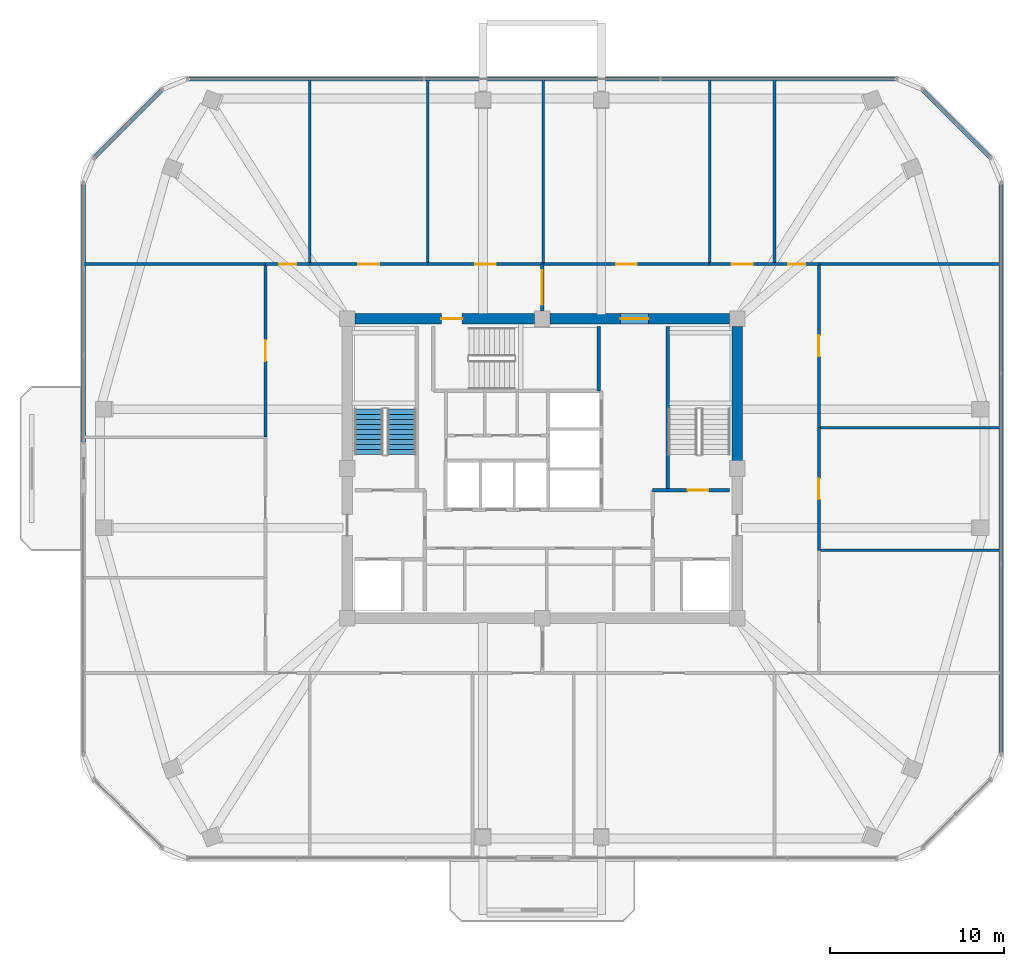
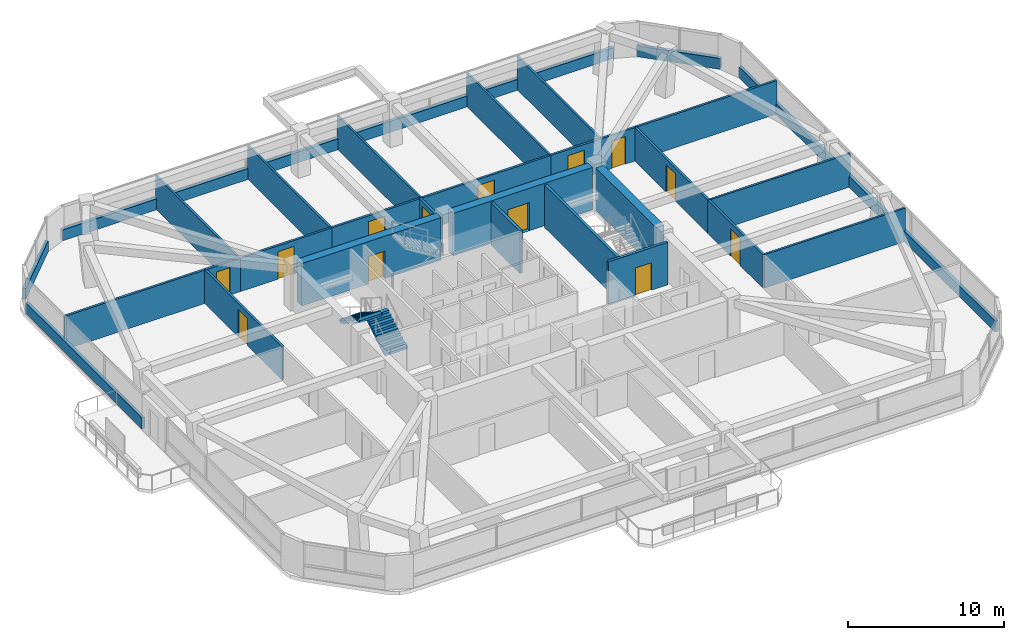
# One storey, part 10 of 13: 30 walls, 13 doors, 2 stair flights, 13 openings, 1 element without a shape of its own.
"""IFC4 building model written with IfcOpenShell, lengths in metres."""

from ifc_helpers import new_model, si_unit, derived_unit, direction, frame, frame_2d, origin, place, context, subcontext, project, spatial, polyline, rectangle, outline, extrude, material, layer, layer_set, type_object, element, fill, aggregate, save


model = new_model("IFC4")

# Units and contexts
model_context = context("Model", 3, precision=1e-05, world=origin(), true_north=direction((0.0, 1.0)))
body_context = subcontext(model_context, "Body", "Model", "MODEL_VIEW")
ifc_project = project(units=[si_unit("LENGTHUNIT", "METRE"), si_unit("AREAUNIT", "SQUARE_METRE"), si_unit("VOLUMEUNIT", "CUBIC_METRE"), si_unit("PLANEANGLEUNIT", "RADIAN"), si_unit("MASSUNIT", "GRAM", prefix="KILO"), derived_unit("THERMALTRANSMITTANCEUNIT", [(si_unit("POWERUNIT", "WATT"), 1), (si_unit("LENGTHUNIT", "METRE"), -2), (si_unit("THERMODYNAMICTEMPERATUREUNIT", "KELVIN"), -1)])], contexts=[model_context])

# Site, building, storey
site_placement = place(None, origin())
site = spatial("IfcSite", under=ifc_project, at=site_placement, CompositionType="ELEMENT")
building_placement = place(site_placement, origin())
building = spatial("IfcBuilding", under=site, at=building_placement, Name="Koralith Skygarden Medical Center", CompositionType="ELEMENT")
storey_placement = place(building_placement, frame((0.0, 0.0, 214.3798828125)))
storey = spatial("IfcBuildingStorey", under=building, at=storey_placement, Name="L55", CompositionType="ELEMENT", Elevation=214.3798828125)

# Walls
ifc_material_1 = material(Name="Gypsum Board Partition")
ifc_layer_1 = layer(ifc_material_1, 0.14990234375)
ifc_layer_set_1 = layer_set([ifc_layer_1], Name="Gypsum Board Partition")
wall_type_1 = type_object("IfcWallType", Name="Clinical Acoustic Partition 150", PredefinedType="PARTITIONING", material=ifc_layer_set_1)
for number, where, z_axis, x_axis, name in (
    (1, (23.64990234375, 37.64990234375, 0.0), (0.0, 0.0, 1.0), (0.0, 1.0, 0.0), "L55 Clinical Acoustic Partition 150 W-PART-L55-N-01"),
    (2, (30.41796875, 37.64990234375, 0.0), (0.0, 0.0, 1.0), (0.0, 1.0, 0.0), "L55 Clinical Acoustic Partition 150 W-PART-L55-N-02"),
    (3, (37.06103515625, 37.64990234375, 0.0), (0.0, 0.0, 1.0), (0.0, 1.0, 0.0), "L55 Clinical Acoustic Partition 150 W-PART-L55-N-03"),
    (4, (46.6201171875, 37.64990234375, 0.0), (0.0, 0.0, 1.0), (0.0, 1.0, 0.0), "L55 Clinical Acoustic Partition 150 W-PART-L55-N-04"),
    (5, (50.35009765625, 37.64990234375, 0.0), (0.0, 0.0, 1.0), (0.0, 1.0, 0.0), "L55 Clinical Acoustic Partition 150 W-PART-L55-N-05"),
):
    element("IfcWall", number, at=place(storey_placement, frame(where, z_axis=z_axis, x_axis=x_axis)), inside=storey, type_object=wall_type_1, Name=name, PredefinedType="PARTITIONING", context=body_context, shape_type="SweptSolid", body=[
        extrude(rectangle(XDim=10.619140625, YDim=0.14990234375, at=frame_2d((5.3095703125, 0.0))), origin(), (0.0, 0.0, 1.0), 2.610107421875),
    ])
for number, where, z_axis, x_axis, name in (
    (6, (52.89990234375, 21.199951171875, 0.0), (0.0, 0.0, 1.0), (1.0, 0.0, 0.0), "L55 Clinical Acoustic Partition 150 W-PART-L55-E-01"),
    (7, (52.89990234375, 28.25, 0.0), (0.0, 0.0, 1.0), (1.0, 0.0, 0.0), "L55 Clinical Acoustic Partition 150 W-PART-L55-E-02"),
):
    element("IfcWall", number, at=place(storey_placement, frame(where, z_axis=z_axis, x_axis=x_axis)), inside=storey, type_object=wall_type_1, Name=name, PredefinedType="PARTITIONING", context=body_context, shape_type="SweptSolid", body=[
        extrude(rectangle(XDim=10.43701171875, YDim=0.14990234375, at=frame_2d((5.218505859375, 0.0))), origin(), (0.0, 0.0, 1.0), 2.610107421875),
    ])
ifc_layer_2 = layer(ifc_material_1, 0.1650390625)
ifc_layer_set_2 = layer_set([ifc_layer_2], Name="Gypsum Board Partition")
wall_type_2 = type_object("IfcWallType", Name="Clinical Corridor Partition 165", PredefinedType="PARTITIONING", material=ifc_layer_set_2)
for number, where, z_axis, x_axis, name in (
    (8, (10.6630859375, 37.64990234375, 0.0), (0.0, 0.0, 1.0), (1.0, 0.0, 0.0), "L55 Clinical Corridor Partition 165 W-WB-L55-NW"),
    (9, (52.89990234375, 37.64990234375, 0.0), (0.0, 0.0, 1.0), (1.0, 0.0, 0.0), "L55 Clinical Corridor Partition 165 W-WB-L55-NE"),
):
    element("IfcWall", number, at=place(storey_placement, frame(where, z_axis=z_axis, x_axis=x_axis)), inside=storey, type_object=wall_type_2, Name=name, PredefinedType="PARTITIONING", context=body_context, shape_type="SweptSolid", body=[
        extrude(rectangle(XDim=10.43701171875, YDim=0.1650390625, at=frame_2d((5.218505859375, 0.0))), origin(), (0.0, 0.0, 1.0), 2.610107421875),
    ])

# Wall, opening, door
wall_1_placement = place(storey_placement, frame((21.10009765625, 37.64990234375, 0.0), z_axis=(0.0, 0.0, 1.0), x_axis=(1.0, 0.0, 0.0)))
wall_1 = element("IfcWall", 10, at=wall_1_placement, inside=storey, type_object=wall_type_2, Name="L55 Clinical Corridor Partition 165 W-CORR-L55-N-01", PredefinedType="PARTITIONING", context=body_context, shape_type="SweptSolid", body=[
    extrude(rectangle(XDim=2.5498046875, YDim=0.1650390625, at=frame_2d((1.27490234375, 0.0))), origin(), (0.0, 0.0, 1.0), 2.610107421875),
])
opening_1_placement = place(wall_1_placement, frame((0.77490234375, 0.0, 0.0)))
opening_1 = element("IfcOpeningElement", 11, at=opening_1_placement, cuts=wall_1, Name="Opening D-SUP", PredefinedType="OPENING", context=body_context, shape_type="SweptSolid", body=[
    extrude(rectangle(XDim=1.0, YDim=2.14990234375, at=frame_2d((0.5, 1.074951171875))), frame((0.0, 0.092529296875, 0.0), z_axis=(0.0, -1.0, 0.0), x_axis=(1.0, 0.0, 0.0)), (0.0, 0.0, 1.0), 0.18505859375),
])
ifc_material_2 = material(Name="Aluminium 6063-T6", Category="aluminium")
door_type_1 = type_object("IfcDoorType", Name="Clinical Support Door D-SUP 1000", OperationType="NOTDEFINED", PredefinedType="DOOR", material=ifc_material_2)
door_1_placement = place(opening_1_placement, origin())
door_1 = element("IfcDoor", 12, at=door_1_placement, inside=storey, type_object=door_type_1, Name="L55 Transplant Family Resource Lounge 01 Door", OperationType="SINGLE_SWING_RIGHT", OverallHeight=2.14990234375, OverallWidth=1.0, PredefinedType="DOOR", context=body_context, shape_type="SweptSolid", body=[
    extrude(rectangle(XDim=1.0, YDim=2.14990234375, at=frame_2d((0.5, 1.074951171875))), frame((0.0, 0.02490234375, 0.0), z_axis=(0.0, -1.0, 0.0), x_axis=(1.0, 0.0, 0.0)), (0.0, 0.0, 1.0), 0.050048828125),
])
fill(opening_1, door_1)

wall_2_placement = place(storey_placement, frame((23.64990234375, 37.64990234375, 0.0), z_axis=(0.0, 0.0, 1.0), x_axis=(1.0, 0.0, 0.0)))
wall_2 = element("IfcWall", 13, at=wall_2_placement, inside=storey, type_object=wall_type_2, Name="L55 Clinical Corridor Partition 165 W-CORR-L55-N-02", PredefinedType="PARTITIONING", context=body_context, shape_type="SweptSolid", body=[
    extrude(rectangle(XDim=6.76806640625, YDim=0.1650390625, at=frame_2d((3.384033203125, 0.0))), origin(), (0.0, 0.0, 1.0), 2.610107421875),
])
opening_2_placement = place(wall_2_placement, frame((2.783935546875, 0.0, 0.0)))
opening_2 = element("IfcOpeningElement", 14, at=opening_2_placement, cuts=wall_2, Name="Opening D-CLN", PredefinedType="OPENING", context=body_context, shape_type="SweptSolid", body=[
    extrude(rectangle(XDim=1.199951171875, YDim=2.14990234375, at=frame_2d((0.60009765625, 1.074951171875))), frame((0.0, 0.092529296875, 0.0), z_axis=(0.0, -1.0, 0.0), x_axis=(1.0, 0.0, 0.0)), (0.0, 0.0, 1.0), 0.18505859375),
])
door_type_2 = type_object("IfcDoorType", Name="Clinical Corridor Door D-CLN 1200", OperationType="NOTDEFINED", PredefinedType="DOOR", material=ifc_material_2)
door_2_placement = place(opening_2_placement, origin())
door_2 = element("IfcDoor", 15, at=door_2_placement, inside=storey, type_object=door_type_2, Name="L55 Transplant Selection Conference Room 02 Door", OperationType="SINGLE_SWING_LEFT", OverallHeight=2.14990234375, OverallWidth=1.199951171875, PredefinedType="DOOR", context=body_context, shape_type="SweptSolid", body=[
    extrude(rectangle(XDim=1.199951171875, YDim=2.14990234375, at=frame_2d((0.60009765625, 1.074951171875))), frame((0.0, 0.02490234375, 0.0), z_axis=(0.0, -1.0, 0.0), x_axis=(1.0, 0.0, 0.0)), (0.0, 0.0, 1.0), 0.050048828125),
])
fill(opening_2, door_2)

wall_3_placement = place(storey_placement, frame((30.41796875, 37.64990234375, 0.0), z_axis=(0.0, 0.0, 1.0), x_axis=(1.0, 0.0, 0.0)))
wall_3 = element("IfcWall", 16, at=wall_3_placement, inside=storey, type_object=wall_type_2, Name="L55 Clinical Corridor Partition 165 W-CORR-L55-N-03", PredefinedType="PARTITIONING", context=body_context, shape_type="SweptSolid", body=[
    extrude(rectangle(XDim=6.64306640625, YDim=0.1650390625, at=frame_2d((3.321533203125, 0.0))), origin(), (0.0, 0.0, 1.0), 2.610107421875),
])
opening_3_placement = place(wall_3_placement, frame((2.721923828125, 0.0, 0.0)))
opening_3 = element("IfcOpeningElement", 17, at=opening_3_placement, cuts=wall_3, Name="Opening D-CLN", PredefinedType="OPENING", context=body_context, shape_type="SweptSolid", body=[
    extrude(rectangle(XDim=1.199951171875, YDim=2.14990234375, at=frame_2d((0.60009765625, 1.074951171875))), frame((0.0, 0.092529296875, 0.0), z_axis=(0.0, -1.0, 0.0), x_axis=(1.0, 0.0, 0.0)), (0.0, 0.0, 1.0), 0.18505859375),
])
door_3_placement = place(opening_3_placement, origin())
door_3 = element("IfcDoor", 18, at=door_3_placement, inside=storey, type_object=door_type_2, Name="L55 Hepatology Exam Room 03 Door", OperationType="SINGLE_SWING_RIGHT", OverallHeight=2.14990234375, OverallWidth=1.199951171875, PredefinedType="DOOR", context=body_context, shape_type="SweptSolid", body=[
    extrude(rectangle(XDim=1.199951171875, YDim=2.14990234375, at=frame_2d((0.60009765625, 1.074951171875))), frame((0.0, 0.02490234375, 0.0), z_axis=(0.0, -1.0, 0.0), x_axis=(1.0, 0.0, 0.0)), (0.0, 0.0, 1.0), 0.050048828125),
])
fill(opening_3, door_3)

wall_4_placement = place(storey_placement, frame((37.06103515625, 37.64990234375, 0.0), z_axis=(0.0, 0.0, 1.0), x_axis=(1.0, 0.0, 0.0)))
wall_4 = element("IfcWall", 19, at=wall_4_placement, inside=storey, type_object=wall_type_2, Name="L55 Clinical Corridor Partition 165 W-CORR-L55-N-04", PredefinedType="PARTITIONING", context=body_context, shape_type="SweptSolid", body=[
    extrude(rectangle(XDim=9.55908203125, YDim=0.1650390625, at=frame_2d((4.779541015625, 0.0))), origin(), (0.0, 0.0, 1.0), 2.610107421875),
])
opening_4_placement = place(wall_4_placement, frame((4.178955078125, 0.0, 0.0)))
opening_4 = element("IfcOpeningElement", 20, at=opening_4_placement, cuts=wall_4, Name="Opening D-CLN", PredefinedType="OPENING", context=body_context, shape_type="SweptSolid", body=[
    extrude(rectangle(XDim=1.199951171875, YDim=2.14990234375, at=frame_2d((0.60009765625, 1.074951171875))), frame((0.0, 0.092529296875, 0.0), z_axis=(0.0, -1.0, 0.0), x_axis=(1.0, 0.0, 0.0)), (0.0, 0.0, 1.0), 0.18505859375),
])
door_4_placement = place(opening_4_placement, origin())
door_4 = element("IfcDoor", 21, at=door_4_placement, inside=storey, type_object=door_type_2, Name="L55 Transplant Coordinator Office 04 Door", OperationType="SINGLE_SWING_LEFT", OverallHeight=2.14990234375, OverallWidth=1.199951171875, PredefinedType="DOOR", context=body_context, shape_type="SweptSolid", body=[
    extrude(rectangle(XDim=1.199951171875, YDim=2.14990234375, at=frame_2d((0.60009765625, 1.074951171875))), frame((0.0, 0.02490234375, 0.0), z_axis=(0.0, -1.0, 0.0), x_axis=(1.0, 0.0, 0.0)), (0.0, 0.0, 1.0), 0.050048828125),
])
fill(opening_4, door_4)

wall_5_placement = place(storey_placement, frame((46.6201171875, 37.64990234375, 0.0), z_axis=(0.0, 0.0, 1.0), x_axis=(1.0, 0.0, 0.0)))
wall_5 = element("IfcWall", 22, at=wall_5_placement, inside=storey, type_object=wall_type_2, Name="L55 Clinical Corridor Partition 165 W-CORR-L55-N-05", PredefinedType="PARTITIONING", context=body_context, shape_type="SweptSolid", body=[
    extrude(rectangle(XDim=3.72998046875, YDim=0.1650390625, at=frame_2d((1.864990234375, 0.0))), origin(), (0.0, 0.0, 1.0), 2.610107421875),
])
opening_5_placement = place(wall_5_placement, frame((1.264892578125, 0.0, 0.0)))
opening_5 = element("IfcOpeningElement", 23, at=opening_5_placement, cuts=wall_5, Name="Opening D-CLN", PredefinedType="OPENING", context=body_context, shape_type="SweptSolid", body=[
    extrude(rectangle(XDim=1.199951171875, YDim=2.14990234375, at=frame_2d((0.60009765625, 1.074951171875))), frame((0.0, 0.092529296875, 0.0), z_axis=(0.0, -1.0, 0.0), x_axis=(1.0, 0.0, 0.0)), (0.0, 0.0, 1.0), 0.18505859375),
])
door_5_placement = place(opening_5_placement, origin())
door_5 = element("IfcDoor", 24, at=door_5_placement, inside=storey, type_object=door_type_2, Name="L55 Transplant Family Resource Lounge 05 Door", OperationType="SINGLE_SWING_RIGHT", OverallHeight=2.14990234375, OverallWidth=1.199951171875, PredefinedType="DOOR", context=body_context, shape_type="SweptSolid", body=[
    extrude(rectangle(XDim=1.199951171875, YDim=2.14990234375, at=frame_2d((0.60009765625, 1.074951171875))), frame((0.0, 0.02490234375, 0.0), z_axis=(0.0, -1.0, 0.0), x_axis=(1.0, 0.0, 0.0)), (0.0, 0.0, 1.0), 0.050048828125),
])
fill(opening_5, door_5)

wall_6_placement = place(storey_placement, frame((50.35009765625, 37.64990234375, 0.0), z_axis=(0.0, 0.0, 1.0), x_axis=(1.0, 0.0, 0.0)))
wall_6 = element("IfcWall", 25, at=wall_6_placement, inside=storey, type_object=wall_type_2, Name="L55 Clinical Corridor Partition 165 W-CORR-L55-N-06", PredefinedType="PARTITIONING", context=body_context, shape_type="SweptSolid", body=[
    extrude(rectangle(XDim=2.5498046875, YDim=0.1650390625, at=frame_2d((1.27490234375, 0.0))), origin(), (0.0, 0.0, 1.0), 2.610107421875),
])
opening_6_placement = place(wall_6_placement, frame((0.77490234375, 0.0, 0.0)))
opening_6 = element("IfcOpeningElement", 26, at=opening_6_placement, cuts=wall_6, Name="Opening D-SUP", PredefinedType="OPENING", context=body_context, shape_type="SweptSolid", body=[
    extrude(rectangle(XDim=1.0, YDim=2.14990234375, at=frame_2d((0.5, 1.074951171875))), frame((0.0, 0.092529296875, 0.0), z_axis=(0.0, -1.0, 0.0), x_axis=(1.0, 0.0, 0.0)), (0.0, 0.0, 1.0), 0.18505859375),
])
door_6_placement = place(opening_6_placement, origin())
door_6 = element("IfcDoor", 27, at=door_6_placement, inside=storey, type_object=door_type_1, Name="L55 Transplant Selection Conference Room 06 Door", OperationType="SINGLE_SWING_LEFT", OverallHeight=2.14990234375, OverallWidth=1.0, PredefinedType="DOOR", context=body_context, shape_type="SweptSolid", body=[
    extrude(rectangle(XDim=1.0, YDim=2.14990234375, at=frame_2d((0.5, 1.074951171875))), frame((0.0, 0.02490234375, 0.0), z_axis=(0.0, -1.0, 0.0), x_axis=(1.0, 0.0, 0.0)), (0.0, 0.0, 1.0), 0.050048828125),
])
fill(opening_6, door_6)

wall_7_placement = place(storey_placement, frame((21.10009765625, 27.699951171875, 0.0), z_axis=(0.0, 0.0, 1.0), x_axis=(0.0, 1.0, 0.0)))
wall_7 = element("IfcWall", 28, at=wall_7_placement, inside=storey, type_object=wall_type_2, Name="L55 Clinical Corridor Partition 165 W-CORR-L55-W-03", PredefinedType="PARTITIONING", context=body_context, shape_type="SweptSolid", body=[
    extrude(rectangle(XDim=9.949951171875, YDim=0.1650390625, at=frame_2d((4.97509765625, 0.0))), origin(), (0.0, 0.0, 1.0), 2.610107421875),
])
opening_7_placement = place(wall_7_placement, frame((4.375, 0.0, 0.0)))
opening_7 = element("IfcOpeningElement", 29, at=opening_7_placement, cuts=wall_7, Name="Opening D-CLN", PredefinedType="OPENING", context=body_context, shape_type="SweptSolid", body=[
    extrude(rectangle(XDim=1.199951171875, YDim=2.14990234375, at=frame_2d((0.60009765625, 1.074951171875))), frame((0.0, 0.092529296875, 0.0), z_axis=(0.0, -1.0, 0.0), x_axis=(1.0, 0.0, 0.0)), (0.0, 0.0, 1.0), 0.18505859375),
])
door_7_placement = place(opening_7_placement, frame((1.199951171875, 0.0, 0.0), z_axis=(0.0, 0.0, 1.0), x_axis=(-1.0, 0.0, 0.0)))
door_7 = element("IfcDoor", 30, at=door_7_placement, inside=storey, type_object=door_type_2, Name="L55 Transplant Coordinator Office 14 Door", OperationType="SINGLE_SWING_LEFT", OverallHeight=2.14990234375, OverallWidth=1.199951171875, PredefinedType="DOOR", context=body_context, shape_type="SweptSolid", body=[
    extrude(rectangle(XDim=1.199951171875, YDim=2.14990234375, at=frame_2d((0.60009765625, 1.074951171875))), frame((0.0, 0.02490234375, 0.0), z_axis=(0.0, -1.0, 0.0), x_axis=(1.0, 0.0, 0.0)), (0.0, 0.0, 1.0), 0.050048828125),
])
fill(opening_7, door_7)

wall_8_placement = place(storey_placement, frame((52.89990234375, 21.199951171875, 0.0), z_axis=(0.0, 0.0, 1.0), x_axis=(0.0, 1.0, 0.0)))
wall_8 = element("IfcWall", 31, at=wall_8_placement, inside=storey, type_object=wall_type_2, Name="L55 Clinical Corridor Partition 165 W-CORR-L55-E-02", PredefinedType="PARTITIONING", context=body_context, shape_type="SweptSolid", body=[
    extrude(rectangle(XDim=7.050048828125, YDim=0.1650390625, at=frame_2d((3.52490234375, 0.0))), origin(), (0.0, 0.0, 1.0), 2.610107421875),
])
opening_8_placement = place(wall_8_placement, frame((2.925048828125, 0.0, 0.0)))
opening_8 = element("IfcOpeningElement", 32, at=opening_8_placement, cuts=wall_8, Name="Opening D-CLN", PredefinedType="OPENING", context=body_context, shape_type="SweptSolid", body=[
    extrude(rectangle(XDim=1.199951171875, YDim=2.14990234375, at=frame_2d((0.60009765625, 1.074951171875))), frame((0.0, 0.092529296875, 0.0), z_axis=(0.0, -1.0, 0.0), x_axis=(1.0, 0.0, 0.0)), (0.0, 0.0, 1.0), 0.18505859375),
])
door_8_placement = place(opening_8_placement, origin())
door_8 = element("IfcDoor", 33, at=door_8_placement, inside=storey, type_object=door_type_2, Name="L55 Transplant Selection Conference Room 16 Door", OperationType="SINGLE_SWING_LEFT", OverallHeight=2.14990234375, OverallWidth=1.199951171875, PredefinedType="DOOR", context=body_context, shape_type="SweptSolid", body=[
    extrude(rectangle(XDim=1.199951171875, YDim=2.14990234375, at=frame_2d((0.60009765625, 1.074951171875))), frame((0.0, 0.02490234375, 0.0), z_axis=(0.0, -1.0, 0.0), x_axis=(1.0, 0.0, 0.0)), (0.0, 0.0, 1.0), 0.050048828125),
])
fill(opening_8, door_8)

wall_9_placement = place(storey_placement, frame((52.89990234375, 28.25, 0.0), z_axis=(0.0, 0.0, 1.0), x_axis=(0.0, 1.0, 0.0)))
wall_9 = element("IfcWall", 34, at=wall_9_placement, inside=storey, type_object=wall_type_2, Name="L55 Clinical Corridor Partition 165 W-CORR-L55-E-03", PredefinedType="PARTITIONING", context=body_context, shape_type="SweptSolid", body=[
    extrude(rectangle(XDim=9.39990234375, YDim=0.1650390625, at=frame_2d((4.699951171875, 0.0))), origin(), (0.0, 0.0, 1.0), 2.610107421875),
])
opening_9_placement = place(wall_9_placement, frame((4.10009765625, 0.0, 0.0)))
opening_9 = element("IfcOpeningElement", 35, at=opening_9_placement, cuts=wall_9, Name="Opening D-CLN", PredefinedType="OPENING", context=body_context, shape_type="SweptSolid", body=[
    extrude(rectangle(XDim=1.199951171875, YDim=2.14990234375, at=frame_2d((0.60009765625, 1.074951171875))), frame((0.0, 0.092529296875, 0.0), z_axis=(0.0, -1.0, 0.0), x_axis=(1.0, 0.0, 0.0)), (0.0, 0.0, 1.0), 0.18505859375),
])
door_9_placement = place(opening_9_placement, origin())
door_9 = element("IfcDoor", 36, at=door_9_placement, inside=storey, type_object=door_type_2, Name="L55 Hepatology Exam Room 17 Door", OperationType="SINGLE_SWING_RIGHT", OverallHeight=2.14990234375, OverallWidth=1.199951171875, PredefinedType="DOOR", context=body_context, shape_type="SweptSolid", body=[
    extrude(rectangle(XDim=1.199951171875, YDim=2.14990234375, at=frame_2d((0.60009765625, 1.074951171875))), frame((0.0, 0.02490234375, 0.0), z_axis=(0.0, -1.0, 0.0), x_axis=(1.0, 0.0, 0.0)), (0.0, 0.0, 1.0), 0.050048828125),
])
fill(opening_9, door_9)

ifc_layer_3 = layer(ifc_material_1, 0.179931640625)
ifc_layer_set_3 = layer_set([ifc_layer_3], Name="Gypsum Board Partition")
wall_type_3 = type_object("IfcWallType", Name="Group I-2 Smoke Barrier Wall 180", PredefinedType="PARTITIONING", material=ifc_layer_set_3)
wall_10_placement = place(storey_placement, frame((37.0, 34.949951171875, 0.0), z_axis=(0.0, 0.0, 1.0), x_axis=(0.0, 1.0, 0.0)))
wall_10 = element("IfcWall", 37, at=wall_10_placement, inside=storey, type_object=wall_type_3, Name="L55 Group I-2 Smoke Barrier Wall 180 W-SMK-L55-N", PredefinedType="PARTITIONING", context=body_context, shape_type="SweptSolid", body=[
    extrude(rectangle(XDim=2.699951171875, YDim=0.179931640625, at=frame_2d((1.35009765625, 0.0))), origin(), (0.0, 0.0, 1.0), 2.610107421875),
])
opening_10_placement = place(wall_10_placement, frame((0.35009765625, 0.0, 0.0)))
opening_10 = element("IfcOpeningElement", 38, at=opening_10_placement, cuts=wall_10, Name="Opening D-SMK", PredefinedType="OPENING", context=body_context, shape_type="SweptSolid", body=[
    extrude(rectangle(XDim=2.0, YDim=2.199951171875, at=frame_2d((1.0, 1.10009765625))), frame((0.0, 0.099853515625, 0.0), z_axis=(0.0, -1.0, 0.0), x_axis=(1.0, 0.0, 0.0)), (0.0, 0.0, 1.0), 0.199951171875),
])
ifc_material_3 = material(Name="Steel ASTM A500 Grade C", Category="steel")
door_type_3 = type_object("IfcDoorType", Name="Cross-Corridor Double Smoke Door FD60S 2000", OperationType="NOTDEFINED", PredefinedType="DOOR", material=ifc_material_3)
door_10_placement = place(opening_10_placement, origin())
door_10 = element("IfcDoor", 39, at=door_10_placement, inside=storey, type_object=door_type_3, Name="L55 N Smoke Compartment Cross-Corridor Door", OperationType="DOUBLE_DOOR_SINGLE_SWING", OverallHeight=2.199951171875, OverallWidth=2.0, PredefinedType="DOOR", context=body_context, shape_type="SweptSolid", body=[
    extrude(rectangle(XDim=2.0, YDim=2.199951171875, at=frame_2d((1.0, 1.10009765625))), frame((0.0, 0.02490234375, 0.0), z_axis=(0.0, -1.0, 0.0), x_axis=(1.0, 0.0, 0.0)), (0.0, 0.0, 1.0), 0.050048828125),
])
fill(opening_10, door_10)

# Walls
ifc_material_4 = material(Name="Warm Oolitic Limestone Cladding", Category="masonry")
ifc_layer_4 = layer(ifc_material_4, 0.239990234375)
ifc_layer_set_4 = layer_set([ifc_layer_4], Name="Warm Oolitic Limestone Cladding")
wall_type_4 = type_object("IfcWallType", Name="Limestone Spandrel Sill Backup Wall 240", PredefinedType="SOLIDWALL", material=ifc_layer_set_4)
wall_11_placement = place(storey_placement, frame((63.35693359375, 9.487060546875, 0.0), z_axis=(0.0, 0.0, 1.0), x_axis=(0.0, 1.0, 0.0)))
element("IfcWall", 40, at=wall_11_placement, inside=storey, type_object=wall_type_4, Name="L55 Sill Spandrel E", PredefinedType="SOLIDWALL", context=body_context, shape_type="SweptSolid", body=[
    extrude(rectangle(XDim=32.825927734375, YDim=0.239990234375, at=frame_2d((16.4130859375, 0.0))), origin(), (0.0, 0.0, 1.0), 0.85009765625),
])
wall_12_placement = place(storey_placement, frame((62.756103515625, 43.763916015625, 0.0), z_axis=(0.0, 0.0, 1.0), x_axis=(-0.707106781187, 0.707106781187, 0.0)))
element("IfcWall", 41, at=wall_12_placement, inside=storey, type_object=wall_type_4, Name="L55 Sill Spandrel NE", PredefinedType="SOLIDWALL", context=body_context, shape_type="SweptSolid", body=[
    extrude(rectangle(XDim=5.548095703125, YDim=0.239990234375, at=frame_2d((2.77392578125, 0.0))), origin(), (0.0, 0.0, 1.0), 0.85009765625),
])
wall_13_placement = place(storey_placement, frame((57.382080078125, 48.2880859375, 0.0), z_axis=(0.0, 0.0, 1.0), x_axis=(-1.0, 0.0, 0.0)))
element("IfcWall", 42, at=wall_13_placement, inside=storey, type_object=wall_type_4, Name="L55 Sill Spandrel N", PredefinedType="SOLIDWALL", context=body_context, shape_type="SweptSolid", body=[
    extrude(rectangle(XDim=40.76416015625, YDim=0.239990234375, at=frame_2d((20.382080078125, 0.0))), origin(), (0.0, 0.0, 1.0), 0.85009765625),
])
wall_14_placement = place(storey_placement, frame((15.1669921875, 47.68701171875, 0.0), z_axis=(0.0, 0.0, 1.0), x_axis=(-0.707106781187, -0.707106781187, 0.0)))
element("IfcWall", 43, at=wall_14_placement, inside=storey, type_object=wall_type_4, Name="L55 Sill Spandrel NW", PredefinedType="SOLIDWALL", context=body_context, shape_type="SweptSolid", body=[
    extrude(rectangle(XDim=5.548095703125, YDim=0.239990234375, at=frame_2d((2.77392578125, 0.0))), origin(), (0.0, 0.0, 1.0), 0.85009765625),
])
wall_15_placement = place(storey_placement, frame((10.64306640625, 42.31298828125, 0.0), z_axis=(0.0, 0.0, 1.0), x_axis=(0.0, -1.0, 0.0)))
element("IfcWall", 44, at=wall_15_placement, inside=storey, type_object=wall_type_4, Name="L55 Sill Spandrel W-L", PredefinedType="SOLIDWALL", context=body_context, shape_type="SweptSolid", body=[
    extrude(rectangle(XDim=14.873046875, YDim=0.239990234375, at=frame_2d((7.4365234375, 0.0))), origin(), (0.0, 0.0, 1.0), 0.85009765625),
])
ifc_material_5 = material(Name="Concrete C45/55", Category="concrete")
ifc_layer_5 = layer(ifc_material_5, 0.199951171875)
ifc_layer_set_5 = layer_set([ifc_layer_5], Name="Concrete C45/55")
wall_type_5 = type_object("IfcWallType", Name="Structural Stair Shaft Wall 200", PredefinedType="SHEAR", material=ifc_layer_set_5)
wall_16_placement = place(storey_placement, frame((44.199951171875, 24.64990234375, 0.0), z_axis=(0.0, 0.0, 1.0), x_axis=(0.0, 1.0, 0.0)))
element("IfcWall", 45, at=wall_16_placement, inside=storey, type_object=wall_type_5, Name="L55 Structural Stair Shaft Wall 200 W-CORE-L55-ST2-W", PredefinedType="SHEAR", context=body_context, shape_type="SweptSolid", body=[
    extrude(rectangle(XDim=9.400146484375, YDim=0.199951171875, at=frame_2d((4.7001953125, 0.0))), origin(), (0.0, 0.0, 1.0), 3.320068359375),
])

# Wall, opening, door
wall_17_placement = place(storey_placement, frame((43.35009765625, 24.64990234375, 0.0), z_axis=(0.0, 0.0, 1.0), x_axis=(1.0, 0.0, 0.0)))
wall_17 = element("IfcWall", 46, at=wall_17_placement, inside=storey, type_object=wall_type_5, Name="L55 Structural Stair Shaft Wall 200 W-CORE-L55-ST2-S", PredefinedType="SHEAR", context=body_context, shape_type="SweptSolid", body=[
    extrude(rectangle(XDim=4.39990234375, YDim=0.199951171875, at=frame_2d((2.199951171875, 0.0))), origin(), (0.0, 0.0, 1.0), 3.320068359375),
])
opening_11_placement = place(wall_17_placement, frame((2.0, 0.0, 0.0)))
opening_11 = element("IfcOpeningElement", 47, at=opening_11_placement, cuts=wall_17, Name="Opening D-ST60", PredefinedType="OPENING", context=body_context, shape_type="SweptSolid", body=[
    extrude(rectangle(XDim=1.199951171875, YDim=2.14990234375, at=frame_2d((0.60009765625, 1.074951171875))), frame((0.0, 0.10986328125, 0.0), z_axis=(0.0, -1.0, 0.0), x_axis=(1.0, 0.0, 0.0)), (0.0, 0.0, 1.0), 0.219970703125),
])
door_type_4 = type_object("IfcDoorType", Name="Smokeproof Stair Fire Door FD60S 1200", OperationType="NOTDEFINED", PredefinedType="DOOR", material=ifc_material_3)
door_11_placement = place(opening_11_placement, origin())
door_11 = element("IfcDoor", 48, at=door_11_placement, inside=storey, type_object=door_type_4, Name="L55 Exit Stair ST2 Fire Door", OperationType="SINGLE_SWING_RIGHT", OverallHeight=2.14990234375, OverallWidth=1.199951171875, PredefinedType="DOOR", context=body_context, shape_type="SweptSolid", body=[
    extrude(rectangle(XDim=1.199951171875, YDim=2.14990234375, at=frame_2d((0.60009765625, 1.074951171875))), frame((0.0, 0.02490234375, 0.0), z_axis=(0.0, -1.0, 0.0), x_axis=(1.0, 0.0, 0.0)), (0.0, 0.0, 1.0), 0.050048828125),
])
fill(opening_11, door_11)

# Walls
wall_18_placement = place(storey_placement, frame((40.25, 30.360107421875, 0.0), z_axis=(0.0, 0.0, 1.0), x_axis=(0.0, 1.0, 0.0)))
element("IfcWall", 49, at=wall_18_placement, inside=storey, type_object=wall_type_5, Name="L55 Structural Stair Shaft Wall 200 W-CORE-L55-ST3-E", PredefinedType="SHEAR", context=body_context, shape_type="SweptSolid", body=[
    extrude(rectangle(XDim=3.68994140625, YDim=0.199951171875, at=frame_2d((1.844970703125, 0.0))), origin(), (0.0, 0.0, 1.0), 3.320068359375),
])
ifc_material_6 = material(Name="Concrete C55/67", Category="concrete")
ifc_layer_6 = layer(ifc_material_6, 0.60009765625)
ifc_layer_set_6 = layer_set([ifc_layer_6], Name="Concrete C55/67")
wall_type_6 = type_object("IfcWallType", Name="Upper Core Shear Wall 600", PredefinedType="SHEAR", material=ifc_layer_set_6)
wall_19_placement = place(storey_placement, frame((48.199951171875, 26.344970703125, 0.0), z_axis=(0.0, 0.0, 1.0), x_axis=(0.0, 1.0, 0.0)))
element("IfcWall", 50, at=wall_19_placement, inside=storey, type_object=wall_type_6, Name="L55 Core Shear Wall Segment 4", PredefinedType="SHEAR", context=body_context, shape_type="SweptSolid", body=[
    extrude(rectangle(XDim=7.7099609375, YDim=0.60009765625, at=frame_2d((3.85498046875, 0.0))), origin(), (0.0, 0.0, 1.0), 3.320068359375),
])

# Wall, opening, door
wall_20_placement = place(storey_placement, frame((47.7548828125, 34.5, 0.0), z_axis=(0.0, 0.0, 1.0), x_axis=(-1.0, 0.0, 0.0)))
wall_20 = element("IfcWall", 51, at=wall_20_placement, inside=storey, type_object=wall_type_6, Name="L55 Core Shear Wall Segment 5", PredefinedType="SHEAR", context=body_context, shape_type="SweptSolid", body=[
    extrude(rectangle(XDim=10.309814453125, YDim=0.60009765625, at=frame_2d((5.15478515625, 0.0))), origin(), (0.0, 0.0, 1.0), 3.320068359375),
])
opening_12_placement = place(wall_20_placement, frame((4.655029296875, 0.0, 0.0)))
opening_12 = element("IfcOpeningElement", 52, at=opening_12_placement, cuts=wall_20, Name="Opening D-DBL", PredefinedType="OPENING", context=body_context, shape_type="SweptSolid", body=[
    extrude(rectangle(XDim=1.60009765625, YDim=2.199951171875, at=frame_2d((0.800048828125, 1.10009765625))), frame((0.0, 0.31005859375, 0.0), z_axis=(0.0, -1.0, 0.0), x_axis=(1.0, 0.0, 0.0)), (0.0, 0.0, 1.0), 0.6201171875),
])
door_type_5 = type_object("IfcDoorType", Name="Double Clinical Suite Door D-DBL 1600", OperationType="NOTDEFINED", PredefinedType="DOOR", material=ifc_material_2)
door_12_placement = place(opening_12_placement, frame((1.60009765625, 0.0, 0.0), z_axis=(0.0, 0.0, 1.0), x_axis=(-1.0, 0.0, 0.0)))
door_12 = element("IfcDoor", 53, at=door_12_placement, inside=storey, type_object=door_type_5, Name="L55 North-East Corridor to Elevator Lobby Door", OperationType="DOUBLE_DOOR_SINGLE_SWING", OverallHeight=2.199951171875, OverallWidth=1.60009765625, PredefinedType="DOOR", context=body_context, shape_type="SweptSolid", body=[
    extrude(rectangle(XDim=1.60009765625, YDim=2.199951171875, at=frame_2d((0.800048828125, 1.10009765625))), frame((0.0, 0.02490234375, 0.0), z_axis=(0.0, -1.0, 0.0), x_axis=(1.0, 0.0, 0.0)), (0.0, 0.0, 1.0), 0.050048828125),
])
fill(opening_12, door_12)

wall_21_placement = place(storey_placement, frame((36.554931640625, 34.5, 0.0), z_axis=(0.0, 0.0, 1.0), x_axis=(-1.0, 0.0, 0.0)))
wall_21 = element("IfcWall", 54, at=wall_21_placement, inside=storey, type_object=wall_type_6, Name="L55 Core Shear Wall Segment 6", PredefinedType="SHEAR", context=body_context, shape_type="SweptSolid", body=[
    extrude(rectangle(XDim=10.309814453125, YDim=0.60009765625, at=frame_2d((5.15478515625, 0.0))), origin(), (0.0, 0.0, 1.0), 3.320068359375),
])
opening_13_placement = place(wall_21_placement, frame((4.155029296875, 0.0, 0.0)))
opening_13 = element("IfcOpeningElement", 55, at=opening_13_placement, cuts=wall_21, Name="Opening D-ST60", PredefinedType="OPENING", context=body_context, shape_type="SweptSolid", body=[
    extrude(rectangle(XDim=1.199951171875, YDim=2.14990234375, at=frame_2d((0.60009765625, 1.074951171875))), frame((0.0, 0.31005859375, 0.0), z_axis=(0.0, -1.0, 0.0), x_axis=(1.0, 0.0, 0.0)), (0.0, 0.0, 1.0), 0.6201171875),
])
door_13_placement = place(opening_13_placement, frame((1.199951171875, 0.0, 0.0), z_axis=(0.0, 0.0, 1.0), x_axis=(-1.0, 0.0, 0.0)))
door_13 = element("IfcDoor", 56, at=door_13_placement, inside=storey, type_object=door_type_4, Name="L55 Exit Stair ST3 Fire Door", OperationType="SINGLE_SWING_LEFT", OverallHeight=2.14990234375, OverallWidth=1.199951171875, PredefinedType="DOOR", context=body_context, shape_type="SweptSolid", body=[
    extrude(rectangle(XDim=1.199951171875, YDim=2.14990234375, at=frame_2d((0.60009765625, 1.074951171875))), frame((0.0, 0.02490234375, 0.0), z_axis=(0.0, -1.0, 0.0), x_axis=(1.0, 0.0, 0.0)), (0.0, 0.0, 1.0), 0.050048828125),
])
fill(opening_13, door_13)

# Stair, stair flights
stair_type = type_object("IfcStairType", Name="Core Exit Dogleg Concrete Stair", PredefinedType="HALF_TURN_STAIR", material=ifc_material_5)
stair_placement = place(storey_placement, origin())
stair = element("IfcStair", 57, at=stair_placement, inside=storey, type_object=stair_type, Name="L55 Smokeproof Exit Stair ST1", PredefinedType="HALF_TURN_STAIR")
stair_flight_type = type_object("IfcStairFlightType", Name="Core Exit Concrete Stair Flight 1650", PredefinedType="STRAIGHT", material=ifc_material_5)
stair_flight_1_placement = place(storey_placement, frame((28.925048828125, 26.699951171875, 0.0), z_axis=(0.0, 0.0, 1.0), x_axis=(0.0, 1.0, 0.0)))
stair_flight_1 = element("IfcStairFlight", 58, at=stair_flight_1_placement, type_object=stair_flight_type, Name="ST1 flight 1", NumberOfRisers=10, NumberOfTreads=9, PredefinedType="STRAIGHT", RiserHeight=0.18, TreadLength=0.29, context=body_context, shape_type="SweptSolid", body=[
    extrude(outline(polyline([(0.0, 0.0), (0.0, 0.179931640625), (0.2900390625, 0.179931640625), (0.2900390625, 0.360107421875), (0.580078125, 0.360107421875), (0.580078125, 0.5400390625), (0.8701171875, 0.5400390625), (0.8701171875, 0.719970703125), (1.159912109375, 0.719970703125), (1.159912109375, 0.89990234375), (1.449951171875, 0.89990234375), (1.449951171875, 1.080078125), (1.739990234375, 1.080078125), (1.739990234375, 1.260009765625), (2.030029296875, 1.260009765625), (2.030029296875, 1.43994140625), (2.320068359375, 1.43994140625), (2.320068359375, 1.6201171875), (2.610107421875, 1.6201171875), (2.610107421875, 1.800048828125), (2.610107421875, 1.443603515625), (0.2841796875, 0.0), (0.0, 0.0)])), frame((0.0, 0.824951171875, 0.0), z_axis=(0.0, -1.0, 0.0), x_axis=(1.0, 0.0, 0.0)), (0.0, 0.0, 1.0), 1.64990234375),
])
stair_flight_2_placement = place(storey_placement, frame((27.02490234375, 29.31005859375, 1.800048828125), z_axis=(0.0, 0.0, 1.0), x_axis=(0.0, -1.0, 0.0)))
stair_flight_2 = element("IfcStairFlight", 59, at=stair_flight_2_placement, type_object=stair_flight_type, Name="ST1 flight 2", NumberOfRisers=10, NumberOfTreads=9, PredefinedType="STRAIGHT", RiserHeight=0.18, TreadLength=0.29, context=body_context, shape_type="SweptSolid", body=[
    extrude(outline(polyline([(0.0, 0.0), (0.0, 0.179931640625), (0.2900390625, 0.179931640625), (0.2900390625, 0.360107421875), (0.580078125, 0.360107421875), (0.580078125, 0.5400390625), (0.8701171875, 0.5400390625), (0.8701171875, 0.719970703125), (1.159912109375, 0.719970703125), (1.159912109375, 0.89990234375), (1.449951171875, 0.89990234375), (1.449951171875, 1.080078125), (1.739990234375, 1.080078125), (1.739990234375, 1.260009765625), (2.030029296875, 1.260009765625), (2.030029296875, 1.43994140625), (2.320068359375, 1.43994140625), (2.320068359375, 1.6201171875), (2.610107421875, 1.6201171875), (2.610107421875, 1.800048828125), (2.610107421875, 1.443603515625), (0.2841796875, 0.0), (0.0, 0.0)])), frame((0.0, 0.824951171875, 0.0), z_axis=(0.0, -1.0, 0.0), x_axis=(1.0, 0.0, 0.0)), (0.0, 0.0, 1.0), 1.64990234375),
])
aggregate(stair, [stair_flight_1, stair_flight_2])

save(model, "model.ifc")
